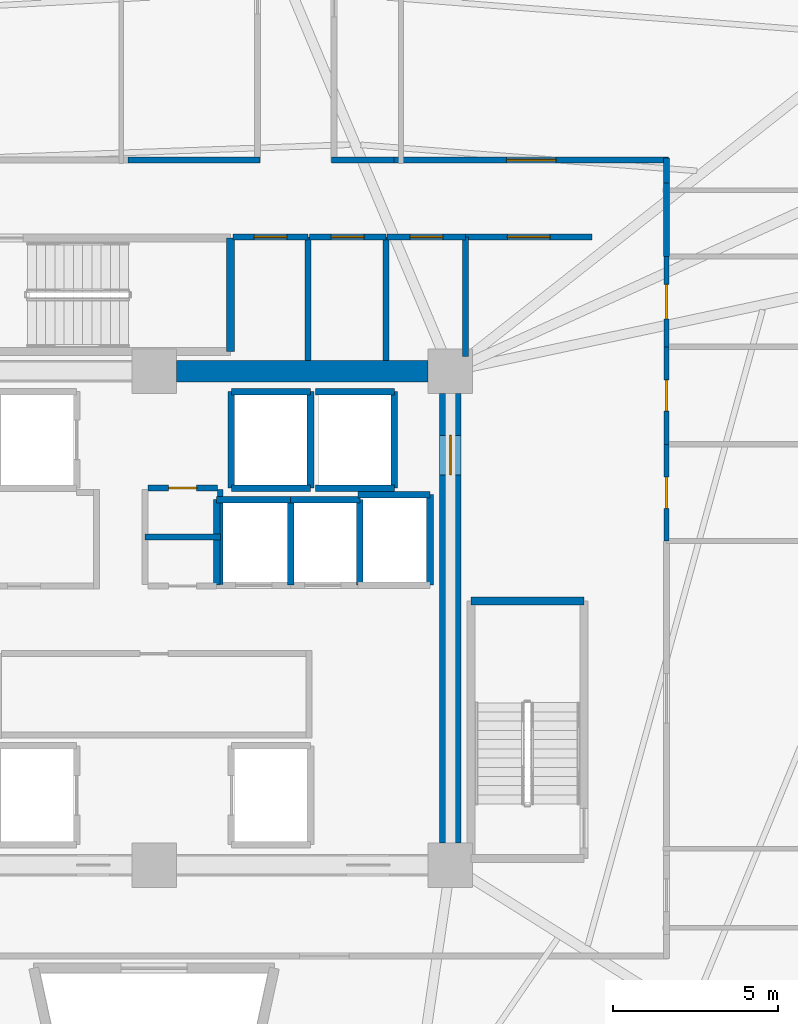
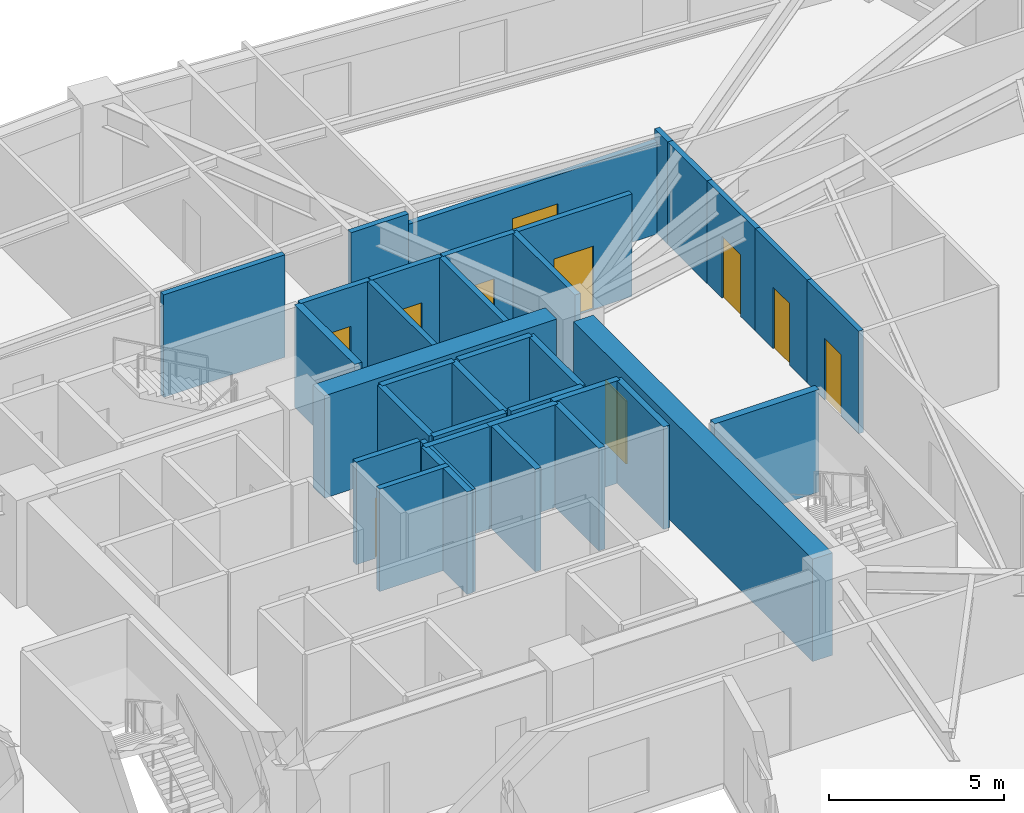
# One storey, part 6 of 8: 36 walls, 10 doors, 10 openings.
"""IFC4 building model written with IfcOpenShell, lengths in metres."""

from ifc_helpers import new_model, si_unit, direction, frame, frame_2d, origin, place, context, subcontext, project, spatial, rectangle, extrude, source, transform, mapped, material, layer, layer_set, type_object, element, fill, save


model = new_model("IFC4")

# Units and contexts
model_context = context("Model", 3, precision=1e-05, world=origin(), true_north=direction((0.0, 1.0)))
body_context = subcontext(model_context, "Body", "Model", "MODEL_VIEW")
ifc_project = project(units=[si_unit("LENGTHUNIT", "METRE"), si_unit("AREAUNIT", "SQUARE_METRE"), si_unit("VOLUMEUNIT", "CUBIC_METRE"), si_unit("PLANEANGLEUNIT", "RADIAN"), si_unit("MASSUNIT", "GRAM", prefix="KILO")], contexts=[model_context])

# Site, building, storey
site_placement = place(None, origin())
site = spatial("IfcSite", under=ifc_project, at=site_placement, CompositionType="ELEMENT")
building_placement = place(site_placement, origin())
building = spatial("IfcBuilding", under=site, at=building_placement, Name="Liaohun Quay Tower", CompositionType="ELEMENT")
storey_placement = place(building_placement, frame((0.0, 0.0, 255.0)))
storey = spatial("IfcBuildingStorey", under=building, at=storey_placement, Name="L66", CompositionType="ELEMENT", Elevation=255.0)

# Wall
ifc_material_1 = material(Name="Concrete C55", Category="concrete")
ifc_layer_1 = layer(ifc_material_1, 0.64990234375, Name="Concrete C55", Category="concrete")
ifc_layer_set_1 = layer_set([ifc_layer_1], Name="Concrete C55")
wall_type_1 = type_object("IfcWallType", Name="WAL-COR-Z3", PredefinedType="SHEAR", material=ifc_layer_set_1)
wall_1_placement = place(storey_placement, frame((60.675048828125, 61.5, 0.0), z_axis=(0.0, 0.0, 1.0), x_axis=(1.0, 0.0, 0.0)))
element("IfcWall", 1, at=wall_1_placement, inside=storey, type_object=wall_type_1, Name="L66 Central Core Shear Wall N-E", PredefinedType="SHEAR", context=body_context, shape_type="SweptSolid", body=[
    extrude(rectangle(XDim=7.64990234375, YDim=0.64990234375, at=frame_2d((3.824951171875, 0.0))), origin(), (0.0, 0.0, 1.0), 3.570068359375),
])

# Wall, opening, door
wall_2_placement = place(storey_placement, frame((69.0, 60.824951171875, 0.0), z_axis=(0.0, 0.0, 1.0), x_axis=(0.0, -1.0, 0.0)))
wall_2 = element("IfcWall", 2, at=wall_2_placement, inside=storey, type_object=wall_type_1, Name="L66 Central Core Shear Wall E", PredefinedType="SHEAR", context=body_context, shape_type="SweptSolid", body=[
    extrude(rectangle(XDim=13.64990234375, YDim=0.64990234375, at=frame_2d((6.824951171875, 0.0))), origin(), (0.0, 0.0, 1.0), 3.570068359375),
])
shared_shape_1 = source(origin(), body_context, "Body", "SweptSolid", [
    extrude(rectangle(XDim=1.199951171875, YDim=2.199951171875, at=frame_2d((0.60009765625, 1.10009765625))), frame((0.0, 0.3349609375, 0.0), z_axis=(0.0, -1.0, 0.0), x_axis=(1.0, 0.0, 0.0)), (0.0, 0.0, 1.0), 0.669921875),
])
opening_1_placement = place(wall_2_placement, frame((1.27490234375, 0.0, 0.0)))
opening_1 = element("IfcOpeningElement", 3, at=opening_1_placement, cuts=wall_2, Name="Opening SD1", PredefinedType="OPENING", context=body_context, shape_type="MappedRepresentation", body=[
    mapped(shared_shape_1, transform((0.0, 0.0, 0.0), x_axis=(1.0, 0.0, 0.0), y_axis=(0.0, 1.0, 0.0), z_axis=(0.0, 0.0, 1.0), scale=1.0)),
])
ifc_material_2 = material(Name="Galvanised steel fire door", Category="steel")
door_type_1 = type_object("IfcDoorType", Name="DOR-STR-1200", OperationType="NOTDEFINED", PredefinedType="DOOR", material=ifc_material_2)
shared_shape_2 = source(origin(), body_context, "Body", "SweptSolid", [
    extrude(rectangle(XDim=1.199951171875, YDim=2.199951171875, at=frame_2d((0.60009765625, 1.10009765625))), frame((0.0, 0.02490234375, 0.0), z_axis=(0.0, -1.0, 0.0), x_axis=(1.0, 0.0, 0.0)), (0.0, 0.0, 1.0), 0.050048828125),
])
door_1_placement = place(opening_1_placement, origin())
door_1 = element("IfcDoor", 4, at=door_1_placement, inside=storey, type_object=door_type_1, Name="L66 North-East Core Lobby Smokeproof Door", OperationType="SINGLE_SWING_LEFT", OverallHeight=2.199951171875, OverallWidth=1.199951171875, PredefinedType="DOOR", context=body_context, shape_type="MappedRepresentation", body=[
    mapped(shared_shape_2, transform((0.0, 0.0, 0.0), x_axis=(1.0, 0.0, 0.0), y_axis=(0.0, 1.0, 0.0), z_axis=(0.0, 0.0, 1.0), scale=1.0)),
])
fill(opening_1, door_1)

ifc_material_3 = material(Name="Autoclaved aerated concrete blockwork", Category="masonry")
ifc_layer_2 = layer(ifc_material_3, 0.179931640625, Name="Autoclaved aerated concrete blockwork", Category="masonry")
ifc_layer_set_2 = layer_set([ifc_layer_2], Name="Autoclaved aerated concrete blockwork")
wall_type_2 = type_object("IfcWallType", Name="WAL-PRT-COR", PredefinedType="PARTITIONING", material=ifc_layer_set_2)
wall_3_placement = place(storey_placement, frame((59.81005859375, 57.949951171875, 0.0), z_axis=(0.0, 0.0, 1.0), x_axis=(1.0, 0.0, 0.0)))
wall_3 = element("IfcWall", 5, at=wall_3_placement, inside=storey, type_object=wall_type_2, Name="L66 Interior Partition Wall 004", PredefinedType="PARTITIONING", context=body_context, shape_type="SweptSolid", body=[
    extrude(rectangle(XDim=2.10986328125, YDim=0.179931640625, at=frame_2d((1.054931640625, 0.0))), origin(), (0.0, 0.0, 1.0), 3.570068359375),
])
shared_shape_3 = source(origin(), body_context, "Body", "SweptSolid", [
    extrude(rectangle(XDim=0.85009765625, YDim=2.10009765625, at=frame_2d((0.425048828125, 1.050048828125))), frame((0.0, 0.099853515625, 0.0), z_axis=(0.0, -1.0, 0.0), x_axis=(1.0, 0.0, 0.0)), (0.0, 0.0, 1.0), 0.199951171875),
])
opening_2_placement = place(wall_3_placement, frame((0.635009765625, 0.0, 0.0)))
opening_2 = element("IfcOpeningElement", 6, at=opening_2_placement, cuts=wall_3, Name="Opening AD1", PredefinedType="OPENING", context=body_context, shape_type="MappedRepresentation", body=[
    mapped(shared_shape_3, transform((0.0, 0.0, 0.0), x_axis=(1.0, 0.0, 0.0), y_axis=(0.0, 1.0, 0.0), z_axis=(0.0, 0.0, 1.0), scale=1.0)),
])
ifc_material_4 = material(Name="Steel riser inspection fire door", Category="steel")
door_type_2 = type_object("IfcDoorType", Name="DOR-SHF-850", OperationType="NOTDEFINED", PredefinedType="DOOR", material=ifc_material_4)
shared_shape_4 = source(origin(), body_context, "Body", "SweptSolid", [
    extrude(rectangle(XDim=0.85009765625, YDim=2.10009765625, at=frame_2d((0.425048828125, 1.050048828125))), frame((0.0, 0.02490234375, 0.0), z_axis=(0.0, -1.0, 0.0), x_axis=(1.0, 0.0, 0.0)), (0.0, 0.0, 1.0), 0.050048828125),
])
door_2_placement = place(opening_2_placement, origin())
door_2 = element("IfcDoor", 7, at=door_2_placement, inside=storey, type_object=door_type_2, Name="L66 Telecom Comms Closet Door", OperationType="SINGLE_SWING_RIGHT", OverallHeight=2.10009765625, OverallWidth=0.85009765625, PredefinedType="DOOR", context=body_context, shape_type="MappedRepresentation", body=[
    mapped(shared_shape_4, transform((0.0, 0.0, 0.0), x_axis=(1.0, 0.0, 0.0), y_axis=(0.0, 1.0, 0.0), z_axis=(0.0, 0.0, 1.0), scale=1.0)),
])
fill(opening_2, door_2)

wall_4_placement = place(storey_placement, frame((62.389892578125, 65.580078125, 0.0), z_axis=(0.0, 0.0, 1.0), x_axis=(1.0, 0.0, 0.0)))
wall_4 = element("IfcWall", 8, at=wall_4_placement, inside=storey, type_object=wall_type_2, Name="L66 Interior Partition Wall 011", PredefinedType="PARTITIONING", context=body_context, shape_type="SweptSolid", body=[
    extrude(rectangle(XDim=2.2900390625, YDim=0.179931640625, at=frame_2d((1.14501953125, 0.0))), origin(), (0.0, 0.0, 1.0), 3.570068359375),
])
shared_shape_5 = source(origin(), body_context, "Body", "SweptSolid", [
    extrude(rectangle(XDim=1.0, YDim=2.199951171875, at=frame_2d((0.5, 1.10009765625))), frame((0.0, 0.099853515625, 0.0), z_axis=(0.0, -1.0, 0.0), x_axis=(1.0, 0.0, 0.0)), (0.0, 0.0, 1.0), 0.199951171875),
])
opening_3_placement = place(wall_4_placement, frame((0.64501953125, 0.0, 0.0)))
opening_3 = element("IfcOpeningElement", 9, at=opening_3_placement, cuts=wall_4, Name="Opening OD1", PredefinedType="OPENING", context=body_context, shape_type="MappedRepresentation", body=[
    mapped(shared_shape_5, transform((0.0, 0.0, 0.0), x_axis=(1.0, 0.0, 0.0), y_axis=(0.0, 1.0, 0.0), z_axis=(0.0, 0.0, 1.0), scale=1.0)),
])
ifc_material_5 = material(Name="Solid-core oak veneer timber leaf in steel frame", Category="steel")
door_type_3 = type_object("IfcDoorType", Name="DOR-OFF-1000", OperationType="NOTDEFINED", PredefinedType="DOOR", material=ifc_material_5)
shared_shape_6 = source(origin(), body_context, "Body", "SweptSolid", [
    extrude(rectangle(XDim=1.0, YDim=2.199951171875, at=frame_2d((0.5, 1.10009765625))), frame((0.0, 0.02490234375, 0.0), z_axis=(0.0, -1.0, 0.0), x_axis=(1.0, 0.0, 0.0)), (0.0, 0.0, 1.0), 0.050048828125),
])
door_3_placement = place(opening_3_placement, origin())
door_3 = element("IfcDoor", 10, at=door_3_placement, inside=storey, type_object=door_type_3, Name="L66 North-East Mail Store Door", OperationType="SINGLE_SWING_LEFT", OverallHeight=2.199951171875, OverallWidth=1.0, PredefinedType="DOOR", context=body_context, shape_type="MappedRepresentation", body=[
    mapped(shared_shape_6, transform((0.0, 0.0, 0.0), x_axis=(1.0, 0.0, 0.0), y_axis=(0.0, 1.0, 0.0), z_axis=(0.0, 0.0, 1.0), scale=1.0)),
])
fill(opening_3, door_3)

wall_5_placement = place(storey_placement, frame((64.719970703125, 65.580078125, 0.0), z_axis=(0.0, 0.0, 1.0), x_axis=(1.0, 0.0, 0.0)))
wall_5 = element("IfcWall", 11, at=wall_5_placement, inside=storey, type_object=wall_type_2, Name="L66 Interior Partition Wall 012", PredefinedType="PARTITIONING", context=body_context, shape_type="SweptSolid", body=[
    extrude(rectangle(XDim=2.320068359375, YDim=0.179931640625, at=frame_2d((1.16015625, 0.0))), origin(), (0.0, 0.0, 1.0), 3.570068359375),
])
opening_4_placement = place(wall_5_placement, frame((0.659912109375, 0.0, 0.0)))
opening_4 = element("IfcOpeningElement", 12, at=opening_4_placement, cuts=wall_5, Name="Opening OD1", PredefinedType="OPENING", context=body_context, shape_type="MappedRepresentation", body=[
    mapped(shared_shape_5, transform((0.0, 0.0, 0.0), x_axis=(1.0, 0.0, 0.0), y_axis=(0.0, 1.0, 0.0), z_axis=(0.0, 0.0, 1.0), scale=1.0)),
])
door_4_placement = place(opening_4_placement, origin())
door_4 = element("IfcDoor", 13, at=door_4_placement, inside=storey, type_object=door_type_3, Name="L66 North-East Comms Room Door", OperationType="SINGLE_SWING_RIGHT", OverallHeight=2.199951171875, OverallWidth=1.0, PredefinedType="DOOR", context=body_context, shape_type="MappedRepresentation", body=[
    mapped(shared_shape_6, transform((0.0, 0.0, 0.0), x_axis=(1.0, 0.0, 0.0), y_axis=(0.0, 1.0, 0.0), z_axis=(0.0, 0.0, 1.0), scale=1.0)),
])
fill(opening_4, door_4)

wall_6_placement = place(storey_placement, frame((67.080078125, 65.580078125, 0.0), z_axis=(0.0, 0.0, 1.0), x_axis=(1.0, 0.0, 0.0)))
wall_6 = element("IfcWall", 14, at=wall_6_placement, inside=storey, type_object=wall_type_2, Name="L66 Interior Partition Wall 013", PredefinedType="PARTITIONING", context=body_context, shape_type="SweptSolid", body=[
    extrude(rectangle(XDim=2.3798828125, YDim=0.179931640625, at=frame_2d((1.18994140625, 0.0))), origin(), (0.0, 0.0, 1.0), 3.570068359375),
])
opening_5_placement = place(wall_6_placement, frame((0.68994140625, 0.0, 0.0)))
opening_5 = element("IfcOpeningElement", 15, at=opening_5_placement, cuts=wall_6, Name="Opening OD1", PredefinedType="OPENING", context=body_context, shape_type="MappedRepresentation", body=[
    mapped(shared_shape_5, transform((0.0, 0.0, 0.0), x_axis=(1.0, 0.0, 0.0), y_axis=(0.0, 1.0, 0.0), z_axis=(0.0, 0.0, 1.0), scale=1.0)),
])
door_5_placement = place(opening_5_placement, origin())
door_5 = element("IfcDoor", 16, at=door_5_placement, inside=storey, type_object=door_type_3, Name="L66 North-East Cleaner Store Door", OperationType="SINGLE_SWING_LEFT", OverallHeight=2.199951171875, OverallWidth=1.0, PredefinedType="DOOR", context=body_context, shape_type="MappedRepresentation", body=[
    mapped(shared_shape_6, transform((0.0, 0.0, 0.0), x_axis=(1.0, 0.0, 0.0), y_axis=(0.0, 1.0, 0.0), z_axis=(0.0, 0.0, 1.0), scale=1.0)),
])
fill(opening_5, door_5)

wall_7_placement = place(storey_placement, frame((69.4599609375, 65.580078125, 0.0), z_axis=(0.0, 0.0, 1.0), x_axis=(1.0, 0.0, 0.0)))
wall_7 = element("IfcWall", 17, at=wall_7_placement, inside=storey, type_object=wall_type_2, Name="L66 Interior Partition Wall 015", PredefinedType="PARTITIONING", context=body_context, shape_type="SweptSolid", body=[
    extrude(rectangle(XDim=3.840087890625, YDim=0.179931640625, at=frame_2d((1.919921875, 0.0))), origin(), (0.0, 0.0, 1.0), 3.570068359375),
])
shared_shape_7 = source(origin(), body_context, "Body", "SweptSolid", [
    extrude(rectangle(XDim=1.300048828125, YDim=2.199951171875, at=frame_2d((0.64990234375, 1.10009765625))), frame((0.0, 0.099853515625, 0.0), z_axis=(0.0, -1.0, 0.0), x_axis=(1.0, 0.0, 0.0)), (0.0, 0.0, 1.0), 0.199951171875),
])
opening_6_placement = place(wall_7_placement, frame((1.27001953125, 0.0, 0.0)))
opening_6 = element("IfcOpeningElement", 18, at=opening_6_placement, cuts=wall_7, Name="Opening FD1", PredefinedType="OPENING", context=body_context, shape_type="MappedRepresentation", body=[
    mapped(shared_shape_7, transform((0.0, 0.0, 0.0), x_axis=(1.0, 0.0, 0.0), y_axis=(0.0, 1.0, 0.0), z_axis=(0.0, 0.0, 1.0), scale=1.0)),
])
ifc_material_6 = material(Name="Galvanised steel smokeproof fire door", Category="steel")
door_type_4 = type_object("IfcDoorType", Name="DOR-FFL-1300", OperationType="NOTDEFINED", PredefinedType="DOOR", material=ifc_material_6)
shared_shape_8 = source(origin(), body_context, "Body", "SweptSolid", [
    extrude(rectangle(XDim=1.300048828125, YDim=2.199951171875, at=frame_2d((0.64990234375, 1.10009765625))), frame((0.0, 0.02490234375, 0.0), z_axis=(0.0, -1.0, 0.0), x_axis=(1.0, 0.0, 0.0)), (0.0, 0.0, 1.0), 0.050048828125),
])
door_6_placement = place(opening_6_placement, origin())
door_6 = element("IfcDoor", 19, at=door_6_placement, inside=storey, type_object=door_type_4, Name="L66 East Core Vestibule Door", OperationType="SINGLE_SWING_LEFT", OverallHeight=2.199951171875, OverallWidth=1.300048828125, PredefinedType="DOOR", context=body_context, shape_type="MappedRepresentation", body=[
    mapped(shared_shape_8, transform((0.0, 0.0, 0.0), x_axis=(1.0, 0.0, 0.0), y_axis=(0.0, 1.0, 0.0), z_axis=(0.0, 0.0, 1.0), scale=1.0)),
])
fill(opening_6, door_6)

wall_8_placement = place(storey_placement, frame((67.284912109375, 67.909912109375, 0.0), z_axis=(0.0, 0.0, 1.0), x_axis=(1.0, 0.0, 0.0)))
wall_8 = element("IfcWall", 20, at=wall_8_placement, inside=storey, type_object=wall_type_2, Name="L66 Interior Partition Wall 017", PredefinedType="PARTITIONING", context=body_context, shape_type="SweptSolid", body=[
    extrude(rectangle(XDim=8.344970703125, YDim=0.179931640625, at=frame_2d((4.17236328125, 0.0))), origin(), (0.0, 0.0, 1.0), 3.205078125),
])
shared_shape_9 = source(origin(), body_context, "Body", "SweptSolid", [
    extrude(rectangle(XDim=1.5, YDim=2.199951171875, at=frame_2d((0.75, 1.10009765625))), frame((0.0, 0.099853515625, 0.0), z_axis=(0.0, -1.0, 0.0), x_axis=(1.0, 0.0, 0.0)), (0.0, 0.0, 1.0), 0.199951171875),
])
opening_7_placement = place(wall_8_placement, frame((3.422119140625, 0.0, 0.0)))
opening_7 = element("IfcOpeningElement", 21, at=opening_7_placement, cuts=wall_8, Name="Opening OD2", PredefinedType="OPENING", context=body_context, shape_type="MappedRepresentation", body=[
    mapped(shared_shape_9, transform((0.0, 0.0, 0.0), x_axis=(1.0, 0.0, 0.0), y_axis=(0.0, 1.0, 0.0), z_axis=(0.0, 0.0, 1.0), scale=1.0)),
])
ifc_material_7 = material(Name="Acoustic oak veneer double door")
door_type_5 = type_object("IfcDoorType", Name="DOR-OFF-1500", OperationType="DOUBLE_DOOR_SINGLE_SWING", PredefinedType="DOOR", material=ifc_material_7)
shared_shape_10 = source(origin(), body_context, "Body", "SweptSolid", [
    extrude(rectangle(XDim=1.5, YDim=2.199951171875, at=frame_2d((0.75, 1.10009765625))), frame((0.0, 0.02490234375, 0.0), z_axis=(0.0, -1.0, 0.0), x_axis=(1.0, 0.0, 0.0)), (0.0, 0.0, 1.0), 0.050048828125),
])
door_7_placement = place(opening_7_placement, origin())
door_7 = element("IfcDoor", 22, at=door_7_placement, inside=storey, type_object=door_type_5, Name="L66 Occupational Wellness Clinic 02 Door", OperationType="DOUBLE_DOOR_SINGLE_SWING", OverallHeight=2.199951171875, OverallWidth=1.5, PredefinedType="DOOR", context=body_context, shape_type="MappedRepresentation", body=[
    mapped(shared_shape_10, transform((0.0, 0.0, 0.0), x_axis=(1.0, 0.0, 0.0), y_axis=(0.0, 1.0, 0.0), z_axis=(0.0, 0.0, 1.0), scale=1.0)),
])
fill(opening_7, door_7)

# Walls
wall_9_placement = place(storey_placement, frame((62.010009765625, 55.02001953125, 0.0), z_axis=(0.0, 0.0, 1.0), x_axis=(0.0, 1.0, 0.0)))
element("IfcWall", 23, at=wall_9_placement, inside=storey, type_object=wall_type_2, Name="L66 Interior Partition Wall 030", PredefinedType="PARTITIONING", context=body_context, shape_type="SweptSolid", body=[
    extrude(rectangle(XDim=2.8798828125, YDim=0.179931640625, at=frame_2d((1.43994140625, 0.0))), origin(), (0.0, 0.0, 1.0), 3.570068359375),
])
wall_10_placement = place(storey_placement, frame((59.719970703125, 56.4599609375, 0.0), z_axis=(0.0, 0.0, 1.0), x_axis=(1.0, 0.0, 0.0)))
element("IfcWall", 24, at=wall_10_placement, inside=storey, type_object=wall_type_2, Name="L66 Interior Partition Wall 031", PredefinedType="PARTITIONING", context=body_context, shape_type="SweptSolid", body=[
    extrude(rectangle(XDim=2.2900390625, YDim=0.179931640625, at=frame_2d((1.14501953125, 0.0))), origin(), (0.0, 0.0, 1.0), 3.570068359375),
])
for number, where, z_axis, x_axis, name in (
    (25, (64.679931640625, 61.824951171875, 0.0), (0.0, 0.0, 1.0), (0.0, 1.0, 0.0), "L66 Interior Partition Wall 042"),
    (26, (67.0400390625, 61.824951171875, 0.0), (0.0, 0.0, 1.0), (0.0, 1.0, 0.0), "L66 Interior Partition Wall 043"),
):
    element("IfcWall", number, at=place(storey_placement, frame(where, z_axis=z_axis, x_axis=x_axis)), inside=storey, type_object=wall_type_2, Name=name, PredefinedType="PARTITIONING", context=body_context, shape_type="SweptSolid", body=[
        extrude(rectangle(XDim=3.755126953125, YDim=0.179931640625, at=frame_2d((1.87744140625, 0.0))), origin(), (0.0, 0.0, 1.0), 3.570068359375),
    ])
wall_11_placement = place(storey_placement, frame((69.4599609375, 61.949951171875, 0.0), z_axis=(0.0, 0.0, 1.0), x_axis=(0.0, 1.0, 0.0)))
element("IfcWall", 27, at=wall_11_placement, inside=storey, type_object=wall_type_2, Name="L66 Interior Partition Wall 044", PredefinedType="PARTITIONING", context=body_context, shape_type="SweptSolid", body=[
    extrude(rectangle(XDim=3.630126953125, YDim=0.179931640625, at=frame_2d((1.81494140625, 0.0))), origin(), (0.0, 0.0, 1.0), 3.570068359375),
])
wall_12_placement = place(storey_placement, frame((75.56005859375, 67.215087890625, 0.0), z_axis=(0.0, 0.0, 1.0), x_axis=(0.0, -1.0, 0.0)))
element("IfcWall", 28, at=wall_12_placement, inside=storey, type_object=wall_type_2, Name="L66 Interior Partition Wall 045", PredefinedType="PARTITIONING", context=body_context, shape_type="SweptSolid", body=[
    extrude(rectangle(XDim=2.235107421875, YDim=0.179931640625, at=frame_2d((1.11767578125, 0.0))), origin(), (0.0, 0.0, 1.0), 3.570068359375),
])
wall_13_placement = place(storey_placement, frame((75.56005859375, 67.97998046875, 0.0), z_axis=(0.0, 0.0, 1.0), x_axis=(0.0, -1.0, 0.0)))
element("IfcWall", 29, at=wall_13_placement, inside=storey, type_object=wall_type_2, Name="L66 Interior Partition Wall 046", PredefinedType="PARTITIONING", context=body_context, shape_type="SweptSolid", body=[
    extrude(rectangle(XDim=0.764892578125, YDim=0.179931640625, at=frame_2d((0.38232421875, 0.0))), origin(), (0.0, 0.0, 1.0), 3.570068359375),
])
wall_14_placement = place(storey_placement, frame((65.389892578125, 67.909912109375, 0.0), z_axis=(0.0, 0.0, 1.0), x_axis=(1.0, 0.0, 0.0)))
element("IfcWall", 30, at=wall_14_placement, inside=storey, type_object=wall_type_2, Name="L66 Interior Partition Wall 047", PredefinedType="PARTITIONING", context=body_context, shape_type="SweptSolid", body=[
    extrude(rectangle(XDim=1.89501953125, YDim=0.179931640625, at=frame_2d((0.947509765625, 0.0))), origin(), (0.0, 0.0, 1.0), 3.570068359375),
])
wall_15_placement = place(storey_placement, frame((59.215087890625, 67.909912109375, 0.0), z_axis=(0.0, 0.0, 1.0), x_axis=(1.0, 0.0, 0.0)))
element("IfcWall", 31, at=wall_15_placement, inside=storey, type_object=wall_type_2, Name="L66 Interior Partition Wall 048", PredefinedType="PARTITIONING", context=body_context, shape_type="SweptSolid", body=[
    extrude(rectangle(XDim=3.994873046875, YDim=0.179931640625, at=frame_2d((1.99755859375, 0.0))), origin(), (0.0, 0.0, 1.0), 3.570068359375),
])

# Wall, opening, door
ifc_material_8 = material(Name="Moisture-resistant masonry blockwork", Category="masonry")
ifc_layer_3 = layer(ifc_material_8, 0.159912109375, Name="Moisture-resistant masonry blockwork", Category="masonry")
ifc_layer_set_3 = layer_set([ifc_layer_3], Name="Moisture-resistant masonry blockwork")
wall_type_3 = type_object("IfcWallType", Name="WAL-PRT-WET", PredefinedType="PARTITIONING", material=ifc_layer_set_3)
wall_16_placement = place(storey_placement, frame((75.56005859375, 56.340087890625, 0.0), z_axis=(0.0, 0.0, 1.0), x_axis=(0.0, 1.0, 0.0)))
wall_16 = element("IfcWall", 32, at=wall_16_placement, inside=storey, type_object=wall_type_3, Name="L66 Interior Partition Wall 006", PredefinedType="PARTITIONING", context=body_context, shape_type="SweptSolid", body=[
    extrude(rectangle(XDim=2.93994140625, YDim=0.159912109375, at=frame_2d((1.469970703125, 0.0))), origin(), (0.0, 0.0, 1.0), 3.570068359375),
])
shared_shape_11 = source(origin(), body_context, "Body", "SweptSolid", [
    extrude(rectangle(XDim=0.949951171875, YDim=2.14990234375, at=frame_2d((0.47509765625, 1.074951171875))), frame((0.0, 0.08984375, 0.0), z_axis=(0.0, -1.0, 0.0), x_axis=(1.0, 0.0, 0.0)), (0.0, 0.0, 1.0), 0.179931640625),
])
opening_8_placement = place(wall_16_placement, frame((0.9951171875, 0.0, 0.0)))
opening_8 = element("IfcOpeningElement", 33, at=opening_8_placement, cuts=wall_16, Name="Opening WD1", PredefinedType="OPENING", context=body_context, shape_type="MappedRepresentation", body=[
    mapped(shared_shape_11, transform((0.0, 0.0, 0.0), x_axis=(1.0, 0.0, 0.0), y_axis=(0.0, 1.0, 0.0), z_axis=(0.0, 0.0, 1.0), scale=1.0)),
])
ifc_material_9 = material(Name="Moisture-resistant laminate timber leaf", Category="wood")
door_type_6 = type_object("IfcDoorType", Name="DOR-WC-950", OperationType="NOTDEFINED", PredefinedType="DOOR", material=ifc_material_9)
shared_shape_12 = source(origin(), body_context, "Body", "SweptSolid", [
    extrude(rectangle(XDim=0.949951171875, YDim=2.14990234375, at=frame_2d((0.47509765625, 1.074951171875))), frame((0.0, 0.02490234375, 0.0), z_axis=(0.0, -1.0, 0.0), x_axis=(1.0, 0.0, 0.0)), (0.0, 0.0, 1.0), 0.050048828125),
])
door_8_placement = place(opening_8_placement, origin())
door_8 = element("IfcDoor", 34, at=door_8_placement, inside=storey, type_object=door_type_6, Name="L66 Male Restroom WC Door", OperationType="SINGLE_SWING_RIGHT", OverallHeight=2.14990234375, OverallWidth=0.949951171875, PredefinedType="DOOR", context=body_context, shape_type="MappedRepresentation", body=[
    mapped(shared_shape_12, transform((0.0, 0.0, 0.0), x_axis=(1.0, 0.0, 0.0), y_axis=(0.0, 1.0, 0.0), z_axis=(0.0, 0.0, 1.0), scale=1.0)),
])
fill(opening_8, door_8)

wall_17_placement = place(storey_placement, frame((75.56005859375, 59.280029296875, 0.0), z_axis=(0.0, 0.0, 1.0), x_axis=(0.0, 1.0, 0.0)))
wall_17 = element("IfcWall", 35, at=wall_17_placement, inside=storey, type_object=wall_type_3, Name="L66 Interior Partition Wall 007", PredefinedType="PARTITIONING", context=body_context, shape_type="SweptSolid", body=[
    extrude(rectangle(XDim=2.9599609375, YDim=0.159912109375, at=frame_2d((1.47998046875, 0.0))), origin(), (0.0, 0.0, 1.0), 3.570068359375),
])
opening_9_placement = place(wall_17_placement, frame((1.0048828125, 0.0, 0.0)))
opening_9 = element("IfcOpeningElement", 36, at=opening_9_placement, cuts=wall_17, Name="Opening WD1", PredefinedType="OPENING", context=body_context, shape_type="MappedRepresentation", body=[
    mapped(shared_shape_11, transform((0.0, 0.0, 0.0), x_axis=(1.0, 0.0, 0.0), y_axis=(0.0, 1.0, 0.0), z_axis=(0.0, 0.0, 1.0), scale=1.0)),
])
door_9_placement = place(opening_9_placement, origin())
door_9 = element("IfcDoor", 37, at=door_9_placement, inside=storey, type_object=door_type_6, Name="L66 Female Restroom WC Door", OperationType="SINGLE_SWING_LEFT", OverallHeight=2.14990234375, OverallWidth=0.949951171875, PredefinedType="DOOR", context=body_context, shape_type="MappedRepresentation", body=[
    mapped(shared_shape_12, transform((0.0, 0.0, 0.0), x_axis=(1.0, 0.0, 0.0), y_axis=(0.0, 1.0, 0.0), z_axis=(0.0, 0.0, 1.0), scale=1.0)),
])
fill(opening_9, door_9)

wall_18_placement = place(storey_placement, frame((75.56005859375, 62.239990234375, 0.0), z_axis=(0.0, 0.0, 1.0), x_axis=(0.0, 1.0, 0.0)))
wall_18 = element("IfcWall", 38, at=wall_18_placement, inside=storey, type_object=wall_type_3, Name="L66 Interior Partition Wall 008", PredefinedType="PARTITIONING", context=body_context, shape_type="SweptSolid", body=[
    extrude(rectangle(XDim=2.739990234375, YDim=0.159912109375, at=frame_2d((1.3701171875, 0.0))), origin(), (0.0, 0.0, 1.0), 3.570068359375),
])
shared_shape_13 = source(origin(), body_context, "Body", "SweptSolid", [
    extrude(rectangle(XDim=1.050048828125, YDim=2.14990234375, at=frame_2d((0.52490234375, 1.074951171875))), frame((0.0, 0.08984375, 0.0), z_axis=(0.0, -1.0, 0.0), x_axis=(1.0, 0.0, 0.0)), (0.0, 0.0, 1.0), 0.179931640625),
])
opening_10_placement = place(wall_18_placement, frame((0.844970703125, 0.0, 0.0)))
opening_10 = element("IfcOpeningElement", 39, at=opening_10_placement, cuts=wall_18, Name="Opening WD2", PredefinedType="OPENING", context=body_context, shape_type="MappedRepresentation", body=[
    mapped(shared_shape_13, transform((0.0, 0.0, 0.0), x_axis=(1.0, 0.0, 0.0), y_axis=(0.0, 1.0, 0.0), z_axis=(0.0, 0.0, 1.0), scale=1.0)),
])
ifc_material_10 = material(Name="Accessible outward-swinging laminate door")
door_type_7 = type_object("IfcDoorType", Name="DOR-AWC-1050", OperationType="NOTDEFINED", PredefinedType="DOOR", material=ifc_material_10)
shared_shape_14 = source(origin(), body_context, "Body", "SweptSolid", [
    extrude(rectangle(XDim=1.050048828125, YDim=2.14990234375, at=frame_2d((0.52490234375, 1.074951171875))), frame((0.0, 0.02490234375, 0.0), z_axis=(0.0, -1.0, 0.0), x_axis=(1.0, 0.0, 0.0)), (0.0, 0.0, 1.0), 0.050048828125),
])
door_10_placement = place(opening_10_placement, origin())
door_10 = element("IfcDoor", 40, at=door_10_placement, inside=storey, type_object=door_type_7, Name="L66 Accessible WC Door", OperationType="SINGLE_SWING_RIGHT", OverallHeight=2.14990234375, OverallWidth=1.050048828125, PredefinedType="DOOR", context=body_context, shape_type="MappedRepresentation", body=[
    mapped(shared_shape_14, transform((0.0, 0.0, 0.0), x_axis=(1.0, 0.0, 0.0), y_axis=(0.0, 1.0, 0.0), z_axis=(0.0, 0.0, 1.0), scale=1.0)),
])
fill(opening_10, door_10)

# Walls
ifc_material_11 = material(Name="Concrete C50", Category="concrete")
ifc_layer_4 = layer(ifc_material_11, 0.239990234375, Name="Concrete C50", Category="concrete")
ifc_layer_set_4 = layer_set([ifc_layer_4], Name="Concrete C50")
wall_type_4 = type_object("IfcWallType", Name="WAL-SHF-200", PredefinedType="SOLIDWALL", material=ifc_layer_set_4)
for number, where, z_axis, x_axis, name in (
    (41, (73.06005859375, 54.52001953125, 0.0), (0.0, 0.0, 1.0), (-1.0, 0.0, 0.0), "L66 Stairwell ST-2 Structural Core Wall N"),
    (42, (62.320068359375, 62.10009765625, 0.0), (0.0, 0.0, 1.0), (0.0, 1.0, 0.0), "L66 Stairwell ST-3 Structural Core Wall E"),
):
    element("IfcWall", number, at=place(storey_placement, frame(where, z_axis=z_axis, x_axis=x_axis)), inside=storey, type_object=wall_type_4, Name=name, PredefinedType="SOLIDWALL", context=body_context, shape_type="SweptSolid", body=[
        extrude(rectangle(XDim=3.43994140625, YDim=0.239990234375, at=frame_2d((1.719970703125, 0.0))), origin(), (0.0, 0.0, 1.0), 3.570068359375),
    ])
wall_19_placement = place(storey_placement, frame((62.35009765625, 57.949951171875, 0.0), z_axis=(0.0, 0.0, 1.0), x_axis=(1.0, 0.0, 0.0)))
element("IfcWall", 43, at=wall_19_placement, inside=storey, type_object=wall_type_4, Name="L66 Lift OB-01 Hoistway Wall S", PredefinedType="SOLIDWALL", context=body_context, shape_type="SweptSolid", body=[
    extrude(rectangle(XDim=2.39990234375, YDim=0.199951171875, at=frame_2d((1.199951171875, 0.0))), origin(), (0.0, 0.0, 1.0), 3.570068359375),
])
wall_20_placement = place(storey_placement, frame((64.75, 57.949951171875, 0.0), z_axis=(0.0, 0.0, 1.0), x_axis=(0.0, 1.0, 0.0)))
element("IfcWall", 44, at=wall_20_placement, inside=storey, type_object=wall_type_4, Name="L66 Lift OB-01 Hoistway Wall E", PredefinedType="SOLIDWALL", context=body_context, shape_type="SweptSolid", body=[
    extrude(rectangle(XDim=2.929931640625, YDim=0.199951171875, at=frame_2d((1.46484375, 0.0))), origin(), (0.0, 0.0, 1.0), 3.570068359375),
])
wall_21_placement = place(storey_placement, frame((64.75, 60.8798828125, 0.0), z_axis=(0.0, 0.0, 1.0), x_axis=(-1.0, 0.0, 0.0)))
element("IfcWall", 45, at=wall_21_placement, inside=storey, type_object=wall_type_4, Name="L66 Lift OB-01 Hoistway Wall N", PredefinedType="SOLIDWALL", context=body_context, shape_type="SweptSolid", body=[
    extrude(rectangle(XDim=2.39990234375, YDim=0.199951171875, at=frame_2d((1.199951171875, 0.0))), origin(), (0.0, 0.0, 1.0), 3.570068359375),
])
wall_22_placement = place(storey_placement, frame((62.35009765625, 60.8798828125, 0.0), z_axis=(0.0, 0.0, 1.0), x_axis=(0.0, -1.0, 0.0)))
element("IfcWall", 46, at=wall_22_placement, inside=storey, type_object=wall_type_4, Name="L66 Lift OB-01 Hoistway Wall W", PredefinedType="SOLIDWALL", context=body_context, shape_type="SweptSolid", body=[
    extrude(rectangle(XDim=2.929931640625, YDim=0.199951171875, at=frame_2d((1.46484375, 0.0))), origin(), (0.0, 0.0, 1.0), 3.570068359375),
])
wall_23_placement = place(storey_placement, frame((64.89990234375, 57.949951171875, 0.0), z_axis=(0.0, 0.0, 1.0), x_axis=(1.0, 0.0, 0.0)))
element("IfcWall", 47, at=wall_23_placement, inside=storey, type_object=wall_type_4, Name="L66 Lift OB-02 Hoistway Wall S", PredefinedType="SOLIDWALL", context=body_context, shape_type="SweptSolid", body=[
    extrude(rectangle(XDim=2.400146484375, YDim=0.199951171875, at=frame_2d((1.2001953125, 0.0))), origin(), (0.0, 0.0, 1.0), 3.570068359375),
])
wall_24_placement = place(storey_placement, frame((67.300048828125, 57.949951171875, 0.0), z_axis=(0.0, 0.0, 1.0), x_axis=(0.0, 1.0, 0.0)))
element("IfcWall", 48, at=wall_24_placement, inside=storey, type_object=wall_type_4, Name="L66 Lift OB-02 Hoistway Wall E", PredefinedType="SOLIDWALL", context=body_context, shape_type="SweptSolid", body=[
    extrude(rectangle(XDim=2.929931640625, YDim=0.199951171875, at=frame_2d((1.46484375, 0.0))), origin(), (0.0, 0.0, 1.0), 3.570068359375),
])
wall_25_placement = place(storey_placement, frame((67.300048828125, 60.8798828125, 0.0), z_axis=(0.0, 0.0, 1.0), x_axis=(-1.0, 0.0, 0.0)))
element("IfcWall", 49, at=wall_25_placement, inside=storey, type_object=wall_type_4, Name="L66 Lift OB-02 Hoistway Wall N", PredefinedType="SOLIDWALL", context=body_context, shape_type="SweptSolid", body=[
    extrude(rectangle(XDim=2.400146484375, YDim=0.199951171875, at=frame_2d((1.2001953125, 0.0))), origin(), (0.0, 0.0, 1.0), 3.570068359375),
])
wall_26_placement = place(storey_placement, frame((68.3798828125, 55.0, 0.0), z_axis=(0.0, 0.0, 1.0), x_axis=(0.0, 1.0, 0.0)))
element("IfcWall", 50, at=wall_26_placement, inside=storey, type_object=wall_type_4, Name="L66 Lift SH-03 Hoistway Wall E", PredefinedType="SOLIDWALL", context=body_context, shape_type="SweptSolid", body=[
    extrude(rectangle(XDim=2.75, YDim=0.199951171875, at=frame_2d((1.375, 0.0))), origin(), (0.0, 0.0, 1.0), 3.570068359375),
])
wall_27_placement = place(storey_placement, frame((68.3798828125, 57.75, 0.0), z_axis=(0.0, 0.0, 1.0), x_axis=(-1.0, 0.0, 0.0)))
element("IfcWall", 51, at=wall_27_placement, inside=storey, type_object=wall_type_4, Name="L66 Lift SH-03 Hoistway Wall N", PredefinedType="SOLIDWALL", context=body_context, shape_type="SweptSolid", body=[
    extrude(rectangle(XDim=2.179931640625, YDim=0.199951171875, at=frame_2d((1.08984375, 0.0))), origin(), (0.0, 0.0, 1.0), 3.570068359375),
])
wall_28_placement = place(storey_placement, frame((64.14990234375, 55.0, 0.0), z_axis=(0.0, 0.0, 1.0), x_axis=(0.0, 1.0, 0.0)))
element("IfcWall", 52, at=wall_28_placement, inside=storey, type_object=wall_type_4, Name="L66 Lift PL-3A Hoistway Wall E", PredefinedType="SOLIDWALL", context=body_context, shape_type="SweptSolid", body=[
    extrude(rectangle(XDim=2.60009765625, YDim=0.199951171875, at=frame_2d((1.300048828125, 0.0))), origin(), (0.0, 0.0, 1.0), 3.570068359375),
])
wall_29_placement = place(storey_placement, frame((64.14990234375, 57.60009765625, 0.0), z_axis=(0.0, 0.0, 1.0), x_axis=(-1.0, 0.0, 0.0)))
element("IfcWall", 53, at=wall_29_placement, inside=storey, type_object=wall_type_4, Name="L66 Lift PL-3A Hoistway Wall N", PredefinedType="SOLIDWALL", context=body_context, shape_type="SweptSolid", body=[
    extrude(rectangle(XDim=2.25, YDim=0.199951171875, at=frame_2d((1.125, 0.0))), origin(), (0.0, 0.0, 1.0), 3.570068359375),
])
for number, where, z_axis, x_axis, name in (
    (54, (61.89990234375, 57.60009765625, 0.0), (0.0, 0.0, 1.0), (0.0, -1.0, 0.0), "L66 Lift PL-3A Hoistway Wall W"),
    (55, (66.25, 55.0, 0.0), (0.0, 0.0, 1.0), (0.0, 1.0, 0.0), "L66 Lift PL-3B Hoistway Wall E"),
):
    element("IfcWall", number, at=place(storey_placement, frame(where, z_axis=z_axis, x_axis=x_axis)), inside=storey, type_object=wall_type_4, Name=name, PredefinedType="SOLIDWALL", context=body_context, shape_type="SweptSolid", body=[
        extrude(rectangle(XDim=2.60009765625, YDim=0.199951171875, at=frame_2d((1.300048828125, 0.0))), origin(), (0.0, 0.0, 1.0), 3.570068359375),
    ])
wall_30_placement = place(storey_placement, frame((66.25, 57.60009765625, 0.0), z_axis=(0.0, 0.0, 1.0), x_axis=(-1.0, 0.0, 0.0)))
element("IfcWall", 56, at=wall_30_placement, inside=storey, type_object=wall_type_4, Name="L66 Lift PL-3B Hoistway Wall N", PredefinedType="SOLIDWALL", context=body_context, shape_type="SweptSolid", body=[
    extrude(rectangle(XDim=2.25, YDim=0.199951171875, at=frame_2d((1.125, 0.0))), origin(), (0.0, 0.0, 1.0), 3.570068359375),
])

save(model, "model.ifc")
